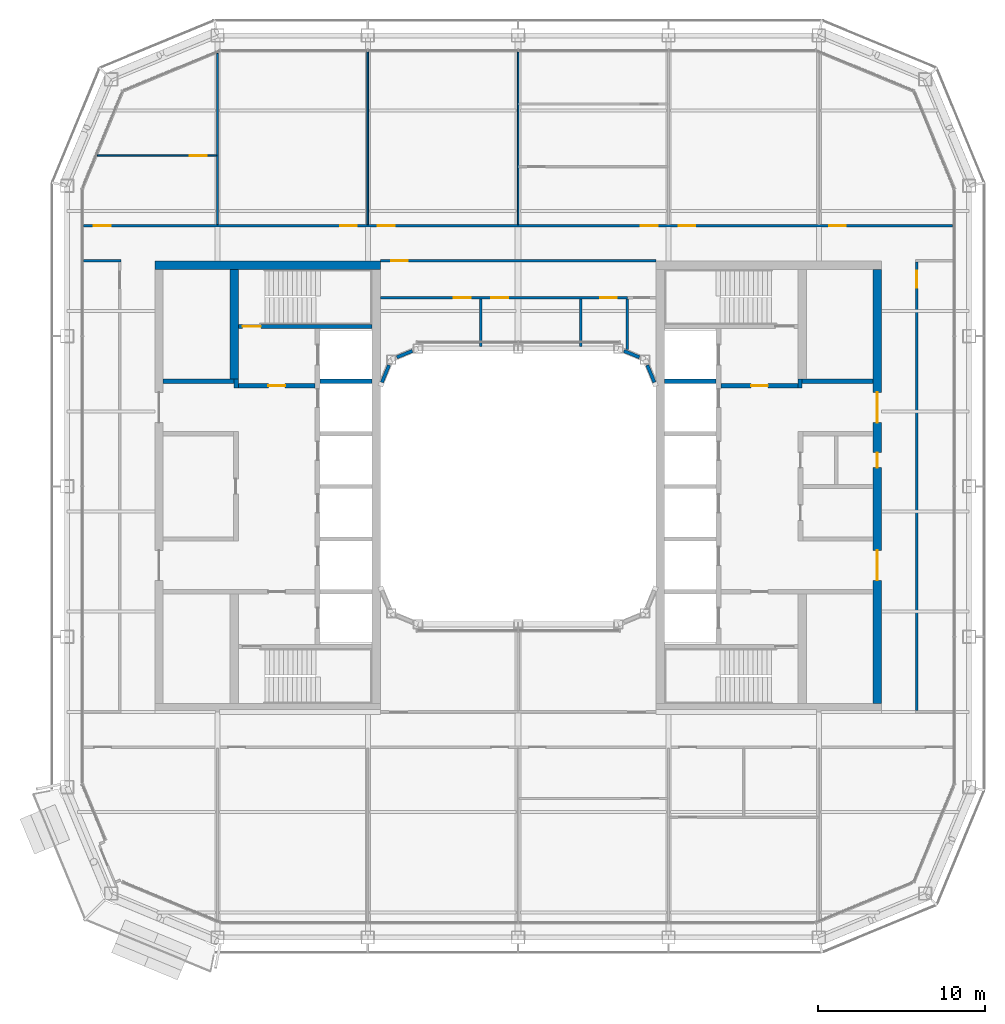
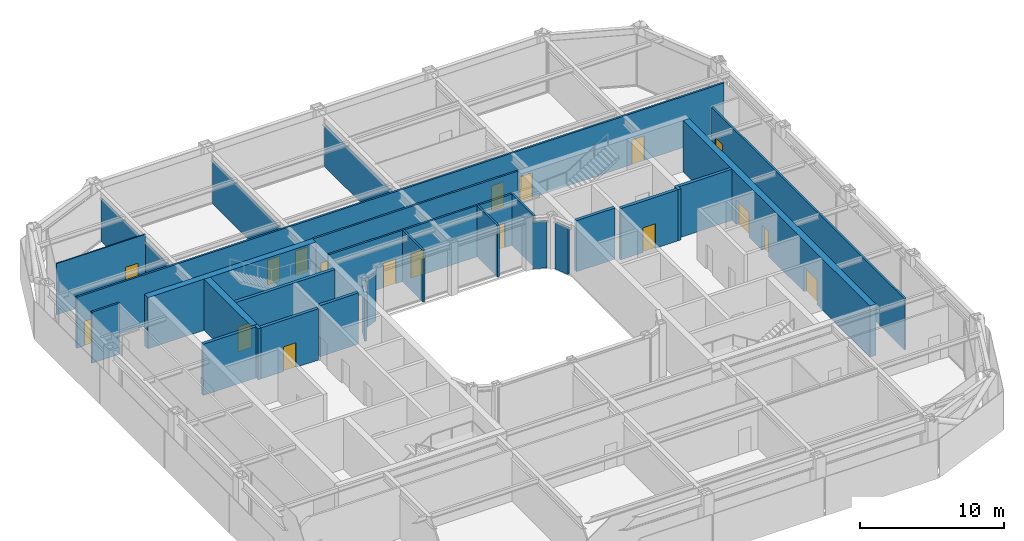
# One storey, part 15 of 23: 28 walls, 18 doors, 18 openings.
"""IFC4 building model written with IfcOpenShell, lengths in metres."""

from ifc_helpers import new_model, si_unit, direction, frame, frame_2d, origin, place, context, subcontext, project, spatial, rectangle, extrude, material, layer, layer_set, type_object, element, fill, save


model = new_model("IFC4")

# Units and contexts
model_context = context("Model", 3, precision=1e-05, world=origin(), true_north=direction((0.0, 1.0)))
body_context = subcontext(model_context, "Body", "Model", "MODEL_VIEW")
ifc_project = project(units=[si_unit("LENGTHUNIT", "METRE"), si_unit("AREAUNIT", "SQUARE_METRE"), si_unit("VOLUMEUNIT", "CUBIC_METRE"), si_unit("PLANEANGLEUNIT", "RADIAN"), si_unit("MASSUNIT", "GRAM", prefix="KILO")], contexts=[model_context])

# Site, building, storey
site_placement = place(None, origin())
site = spatial("IfcSite", under=ifc_project, at=site_placement, CompositionType="ELEMENT")
building_placement = place(site_placement, origin())
building = spatial("IfcBuilding", under=site, at=building_placement, Name="Siwar Civic Tower", CompositionType="ELEMENT")
storey_placement = place(building_placement, frame((0.0, 0.0, 269.199951171875)))
storey = spatial("IfcBuildingStorey", under=building, at=storey_placement, Name="L58", CompositionType="ELEMENT", Elevation=269.199951171875)

# Wall
ifc_material_1 = material(Name="Gypsum board on steel studs", Category="steel")
ifc_layer_1 = layer(ifc_material_1, 0.14990234375)
ifc_layer_set_1 = layer_set([ifc_layer_1], Name="Gypsum board on steel studs")
wall_type_1 = type_object("IfcWallType", Name="COMPARTMENT PARTITION 150 EI 60", PredefinedType="PARTITIONING", material=ifc_layer_set_1)
wall_1_placement = place(storey_placement, frame((6.5400390625, 8.18603515625, 0.0), z_axis=(0.0, 0.0, 1.0), x_axis=(0.0, 1.0, 0.0)))
element("IfcWall", 1, at=wall_1_placement, inside=storey, type_object=wall_type_1, Name="L58/wall/P27", PredefinedType="PARTITIONING", context=body_context, shape_type="SweptSolid", body=[
    extrude(rectangle(XDim=3.0390625, YDim=0.14990234375, at=frame_2d((1.51953125, 0.0))), origin(), (0.0, 0.0, 1.0), 4.35009765625),
])

# Wall, opening, door
ifc_material_2 = material(Name="Concrete C60/75", Category="concrete")
ifc_layer_2 = layer(ifc_material_2, 0.25)
ifc_layer_set_2 = layer_set([ifc_layer_2], Name="Concrete C60/75")
wall_type_2 = type_object("IfcWallType", Name="CORE-WALL-RC250", PredefinedType="SHEAR", material=ifc_layer_set_2)
wall_2_placement = place(storey_placement, frame((-12.14990234375, 6.02490234375, 0.0), z_axis=(0.0, 0.0, 1.0), x_axis=(-1.0, 0.0, 0.0)))
wall_2 = element("IfcWall", 2, at=wall_2_placement, inside=storey, type_object=wall_type_2, Name="Core wall W", PredefinedType="SHEAR", context=body_context, shape_type="SweptSolid", body=[
    extrude(rectangle(XDim=4.60009765625, YDim=0.25, at=frame_2d((2.300048828125, 0.0))), origin(), (0.0, 0.0, 1.0), 4.35009765625),
])
opening_1_placement = place(wall_2_placement, frame((1.800048828125, 0.0, 0.0)))
opening_1 = element("IfcOpeningElement", 3, at=opening_1_placement, cuts=wall_2, Name="Opening L58-CW01", PredefinedType="OPENING", context=body_context, shape_type="SweptSolid", body=[
    extrude(rectangle(XDim=1.0, YDim=2.10009765625, at=frame_2d((0.5, 1.050048828125))), frame((0.0, 0.135009765625, 0.0), z_axis=(0.0, -1.0, 0.0), x_axis=(1.0, 0.0, 0.0)), (0.0, 0.0, 1.0), 0.27001953125),
])
ifc_material_3 = material(Name="Steel door leaf", Category="steel")
door_type_1 = type_object("IfcDoorType", Name="CORE-DOOR-FD30S", OperationType="SINGLE_SWING_LEFT", PredefinedType="DOOR", material=ifc_material_3)
door_1_placement = place(opening_1_placement, origin())
door_1 = element("IfcDoor", 4, at=door_1_placement, inside=storey, type_object=door_type_1, Name="Firefighting lobby door L58-CW01", OperationType="SINGLE_SWING_LEFT", OverallHeight=2.10009765625, OverallWidth=1.0, PredefinedType="DOOR", context=body_context, shape_type="SweptSolid", body=[
    extrude(rectangle(XDim=1.0, YDim=2.10009765625, at=frame_2d((0.5, 1.050048828125))), frame((0.0, 0.02490234375, 0.0), z_axis=(0.0, -1.0, 0.0), x_axis=(1.0, 0.0, 0.0)), (0.0, 0.0, 1.0), 0.050048828125),
])
fill(opening_1, door_1)

# Walls
wall_3_placement = place(storey_placement, frame((-16.875, 5.89990234375, 0.0), z_axis=(0.0, 0.0, 1.0), x_axis=(0.0, 1.0, 0.0)))
element("IfcWall", 5, at=wall_3_placement, inside=storey, type_object=wall_type_2, Name="Core wall W", PredefinedType="SHEAR", context=body_context, shape_type="SweptSolid", body=[
    extrude(rectangle(XDim=0.525146484375, YDim=0.25, at=frame_2d((0.2626953125, 0.0))), origin(), (0.0, 0.0, 1.0), 4.35009765625),
])
wall_4_placement = place(storey_placement, frame((-17.0, 6.300048828125, 0.0), z_axis=(0.0, 0.0, 1.0), x_axis=(-1.0, 0.0, 0.0)))
element("IfcWall", 6, at=wall_4_placement, inside=storey, type_object=wall_type_2, Name="Core wall W", PredefinedType="SHEAR", context=body_context, shape_type="SweptSolid", body=[
    extrude(rectangle(XDim=4.25, YDim=0.25, at=frame_2d((2.125, 0.0))), origin(), (0.0, 0.0, 1.0), 4.35009765625),
])
wall_5_placement = place(storey_placement, frame((-8.75, 6.300048828125, 0.0), z_axis=(0.0, 0.0, 1.0), x_axis=(-1.0, 0.0, 0.0)))
element("IfcWall", 7, at=wall_5_placement, inside=storey, type_object=wall_type_2, Name="Core wall W", PredefinedType="SHEAR", context=body_context, shape_type="SweptSolid", body=[
    extrude(rectangle(XDim=3.10009765625, YDim=0.25, at=frame_2d((1.550048828125, 0.0))), origin(), (0.0, 0.0, 1.0), 4.35009765625),
])

# Wall, opening, door
wall_6_placement = place(storey_placement, frame((-8.75, 9.574951171875, 0.0), z_axis=(0.0, 0.0, 1.0), x_axis=(-1.0, 0.0, 0.0)))
wall_6 = element("IfcWall", 8, at=wall_6_placement, inside=storey, type_object=wall_type_2, Name="Core wall W", PredefinedType="SHEAR", context=body_context, shape_type="SweptSolid", body=[
    extrude(rectangle(XDim=8.0, YDim=0.25, at=frame_2d((4.0, 0.0))), origin(), (0.0, 0.0, 1.0), 4.35009765625),
])
opening_2_placement = place(wall_6_placement, frame((6.64990234375, 0.0, 0.0)))
opening_2 = element("IfcOpeningElement", 9, at=opening_2_placement, cuts=wall_6, Name="Opening L58-CW03", PredefinedType="OPENING", context=body_context, shape_type="SweptSolid", body=[
    extrude(rectangle(XDim=1.10009765625, YDim=2.10009765625, at=frame_2d((0.550048828125, 1.050048828125))), frame((0.0, 0.135009765625, 0.0), z_axis=(0.0, -1.0, 0.0), x_axis=(1.0, 0.0, 0.0)), (0.0, 0.0, 1.0), 0.27001953125),
])
ifc_material_4 = material(Name="Steel door leaf", Category="steel")
door_type_2 = type_object("IfcDoorType", Name="CORE-DOOR-FD60S", OperationType="SINGLE_SWING_LEFT", PredefinedType="DOOR", material=ifc_material_4)
door_2_placement = place(opening_2_placement, origin())
door_2 = element("IfcDoor", 10, at=door_2_placement, inside=storey, type_object=door_type_2, Name="Stair door L58-CW03", OperationType="SINGLE_SWING_RIGHT", OverallHeight=2.10009765625, OverallWidth=1.10009765625, PredefinedType="DOOR", context=body_context, shape_type="SweptSolid", body=[
    extrude(rectangle(XDim=1.10009765625, YDim=2.10009765625, at=frame_2d((0.550048828125, 1.050048828125))), frame((0.0, 0.02490234375, 0.0), z_axis=(0.0, -1.0, 0.0), x_axis=(1.0, 0.0, 0.0)), (0.0, 0.0, 1.0), 0.050048828125),
])
fill(opening_2, door_2)

wall_7_placement = place(storey_placement, frame((12.14990234375, 6.02490234375, 0.0), z_axis=(0.0, 0.0, 1.0), x_axis=(1.0, 0.0, 0.0)))
wall_7 = element("IfcWall", 11, at=wall_7_placement, inside=storey, type_object=wall_type_2, Name="Core wall E", PredefinedType="SHEAR", context=body_context, shape_type="SweptSolid", body=[
    extrude(rectangle(XDim=4.60009765625, YDim=0.25, at=frame_2d((2.300048828125, 0.0))), origin(), (0.0, 0.0, 1.0), 4.35009765625),
])
opening_3_placement = place(wall_7_placement, frame((1.800048828125, 0.0, 0.0)))
opening_3 = element("IfcOpeningElement", 12, at=opening_3_placement, cuts=wall_7, Name="Opening L58-CE01", PredefinedType="OPENING", context=body_context, shape_type="SweptSolid", body=[
    extrude(rectangle(XDim=1.0, YDim=2.10009765625, at=frame_2d((0.5, 1.050048828125))), frame((0.0, 0.135009765625, 0.0), z_axis=(0.0, -1.0, 0.0), x_axis=(1.0, 0.0, 0.0)), (0.0, 0.0, 1.0), 0.27001953125),
])
door_3_placement = place(opening_3_placement, origin())
door_3 = element("IfcDoor", 13, at=door_3_placement, inside=storey, type_object=door_type_1, Name="Firefighting lobby door L58-CE01", OperationType="SINGLE_SWING_RIGHT", OverallHeight=2.10009765625, OverallWidth=1.0, PredefinedType="DOOR", context=body_context, shape_type="SweptSolid", body=[
    extrude(rectangle(XDim=1.0, YDim=2.10009765625, at=frame_2d((0.5, 1.050048828125))), frame((0.0, 0.02490234375, 0.0), z_axis=(0.0, -1.0, 0.0), x_axis=(1.0, 0.0, 0.0)), (0.0, 0.0, 1.0), 0.050048828125),
])
fill(opening_3, door_3)

# Walls
wall_8_placement = place(storey_placement, frame((16.875, 5.89990234375, 0.0), z_axis=(0.0, 0.0, 1.0), x_axis=(0.0, 1.0, 0.0)))
element("IfcWall", 14, at=wall_8_placement, inside=storey, type_object=wall_type_2, Name="Core wall E", PredefinedType="SHEAR", context=body_context, shape_type="SweptSolid", body=[
    extrude(rectangle(XDim=0.525146484375, YDim=0.25, at=frame_2d((0.2626953125, 0.0))), origin(), (0.0, 0.0, 1.0), 4.35009765625),
])
wall_9_placement = place(storey_placement, frame((17.0, 6.300048828125, 0.0), z_axis=(0.0, 0.0, 1.0), x_axis=(1.0, 0.0, 0.0)))
element("IfcWall", 15, at=wall_9_placement, inside=storey, type_object=wall_type_2, Name="Core wall E", PredefinedType="SHEAR", context=body_context, shape_type="SweptSolid", body=[
    extrude(rectangle(XDim=4.25, YDim=0.25, at=frame_2d((2.125, 0.0))), origin(), (0.0, 0.0, 1.0), 4.35009765625),
])
wall_10_placement = place(storey_placement, frame((8.75, 6.300048828125, 0.0), z_axis=(0.0, 0.0, 1.0), x_axis=(1.0, 0.0, 0.0)))
element("IfcWall", 16, at=wall_10_placement, inside=storey, type_object=wall_type_2, Name="Core wall E", PredefinedType="SHEAR", context=body_context, shape_type="SweptSolid", body=[
    extrude(rectangle(XDim=3.10009765625, YDim=0.25, at=frame_2d((1.550048828125, 0.0))), origin(), (0.0, 0.0, 1.0), 4.35009765625),
])
ifc_material_5 = material(Name="Concrete C60/75", Category="concrete")
ifc_layer_3 = layer(ifc_material_5, 0.5)
ifc_layer_set_3 = layer_set([ifc_layer_3], Name="Concrete C60/75")
wall_type_3 = type_object("IfcWallType", Name="CORE-WALL-RC500", PredefinedType="SHEAR", material=ifc_layer_set_3)
wall_11_placement = place(storey_placement, frame((-17.0, 6.425048828125, 0.0), z_axis=(0.0, 0.0, 1.0), x_axis=(0.0, 1.0, 0.0)))
element("IfcWall", 17, at=wall_11_placement, inside=storey, type_object=wall_type_3, Name="Core wall W", PredefinedType="SHEAR", context=body_context, shape_type="SweptSolid", body=[
    extrude(rectangle(XDim=6.574951171875, YDim=0.5, at=frame_2d((3.28759765625, 0.0))), origin(), (0.0, 0.0, 1.0), 4.35009765625),
])
wall_12_placement = place(storey_placement, frame((-8.25, 13.25, 0.0), z_axis=(0.0, 0.0, 1.0), x_axis=(-1.0, 0.0, 0.0)))
element("IfcWall", 18, at=wall_12_placement, inside=storey, type_object=wall_type_3, Name="Core wall W", PredefinedType="SHEAR", context=body_context, shape_type="SweptSolid", body=[
    extrude(rectangle(XDim=13.5, YDim=0.5, at=frame_2d((6.75, 0.0))), origin(), (0.0, 0.0, 1.0), 4.35009765625),
])

# Wall, openings, doors
wall_13_placement = place(storey_placement, frame((21.5, -13.0, 0.0), z_axis=(0.0, 0.0, 1.0), x_axis=(0.0, 1.0, 0.0)))
wall_13 = element("IfcWall", 19, at=wall_13_placement, inside=storey, type_object=wall_type_3, Name="Core wall E", PredefinedType="SHEAR", context=body_context, shape_type="SweptSolid", body=[
    extrude(rectangle(XDim=26.0, YDim=0.5, at=frame_2d((13.0, 0.0))), origin(), (0.0, 0.0, 1.0), 4.35009765625),
])
opening_4_placement = place(wall_13_placement, frame((16.824951171875, 0.0, 0.0)))
opening_4 = element("IfcOpeningElement", 20, at=opening_4_placement, cuts=wall_13, Name="Opening L58-CE05", PredefinedType="OPENING", context=body_context, shape_type="SweptSolid", body=[
    extrude(rectangle(XDim=1.800048828125, YDim=2.10009765625, at=frame_2d((0.89990234375, 1.050048828125))), frame((0.0, 0.260009765625, 0.0), z_axis=(0.0, -1.0, 0.0), x_axis=(1.0, 0.0, 0.0)), (0.0, 0.0, 1.0), 0.52001953125),
])
opening_5_placement = place(wall_13_placement, frame((7.375, 0.0, 0.0)))
opening_5 = element("IfcOpeningElement", 21, at=opening_5_placement, cuts=wall_13, Name="Opening L58-CE06", PredefinedType="OPENING", context=body_context, shape_type="SweptSolid", body=[
    extrude(rectangle(XDim=1.800048828125, YDim=2.10009765625, at=frame_2d((0.89990234375, 1.050048828125))), frame((0.0, 0.260009765625, 0.0), z_axis=(0.0, -1.0, 0.0), x_axis=(1.0, 0.0, 0.0)), (0.0, 0.0, 1.0), 0.52001953125),
])
opening_6_placement = place(wall_13_placement, frame((14.125, 0.0, 0.0)))
opening_6 = element("IfcOpeningElement", 22, at=opening_6_placement, cuts=wall_13, Name="Opening L58-CE15", PredefinedType="OPENING", context=body_context, shape_type="SweptSolid", body=[
    extrude(rectangle(XDim=0.89990234375, YDim=2.10009765625, at=frame_2d((0.449951171875, 1.050048828125))), frame((0.0, 0.260009765625, 0.0), z_axis=(0.0, -1.0, 0.0), x_axis=(1.0, 0.0, 0.0)), (0.0, 0.0, 1.0), 0.52001953125),
])
ifc_material_6 = material(Name="Steel door leaf", Category="steel")
door_type_3 = type_object("IfcDoorType", Name="CORE-DOOR-PORT", OperationType="DOUBLE_DOOR_DOUBLE_SWING", PredefinedType="DOOR", material=ifc_material_6)
door_4_placement = place(opening_4_placement, origin())
door_4 = element("IfcDoor", 23, at=door_4_placement, inside=storey, type_object=door_type_3, Name="Core entrance door L58-CE05", OperationType="DOUBLE_DOOR_DOUBLE_SWING", OverallHeight=2.10009765625, OverallWidth=1.800048828125, PredefinedType="DOOR", context=body_context, shape_type="SweptSolid", body=[
    extrude(rectangle(XDim=1.800048828125, YDim=2.10009765625, at=frame_2d((0.89990234375, 1.050048828125))), frame((0.0, 0.02490234375, 0.0), z_axis=(0.0, -1.0, 0.0), x_axis=(1.0, 0.0, 0.0)), (0.0, 0.0, 1.0), 0.050048828125),
])
fill(opening_4, door_4)
door_5_placement = place(opening_5_placement, origin())
door_5 = element("IfcDoor", 24, at=door_5_placement, inside=storey, type_object=door_type_3, Name="Core entrance door L58-CE06", OperationType="DOUBLE_DOOR_DOUBLE_SWING", OverallHeight=2.10009765625, OverallWidth=1.800048828125, PredefinedType="DOOR", context=body_context, shape_type="SweptSolid", body=[
    extrude(rectangle(XDim=1.800048828125, YDim=2.10009765625, at=frame_2d((0.89990234375, 1.050048828125))), frame((0.0, 0.02490234375, 0.0), z_axis=(0.0, -1.0, 0.0), x_axis=(1.0, 0.0, 0.0)), (0.0, 0.0, 1.0), 0.050048828125),
])
fill(opening_5, door_5)
ifc_material_7 = material(Name="Steel door leaf", Category="steel")
door_type_4 = type_object("IfcDoorType", Name="CORE-DOOR-ROOM", OperationType="SINGLE_SWING_LEFT", PredefinedType="DOOR", material=ifc_material_7)
door_6_placement = place(opening_6_placement, origin())
door_6 = element("IfcDoor", 25, at=door_6_placement, inside=storey, type_object=door_type_4, Name="Core room door L58-CE15", OperationType="SINGLE_SWING_RIGHT", OverallHeight=2.10009765625, OverallWidth=0.89990234375, PredefinedType="DOOR", context=body_context, shape_type="SweptSolid", body=[
    extrude(rectangle(XDim=0.89990234375, YDim=2.10009765625, at=frame_2d((0.449951171875, 1.050048828125))), frame((0.0, 0.02490234375, 0.0), z_axis=(0.0, -1.0, 0.0), x_axis=(1.0, 0.0, 0.0)), (0.0, 0.0, 1.0), 0.050048828125),
])
fill(opening_6, door_6)

ifc_material_8 = material(Name="Gypsum board on steel studs", Category="steel")
ifc_layer_4 = layer(ifc_material_8, 0.14990234375)
ifc_layer_set_4 = layer_set([ifc_layer_4], Name="Gypsum board on steel studs")
wall_type_4 = type_object("IfcWallType", Name="CORRIDOR PARTITION 150 EI 30", PredefinedType="PARTITIONING", material=ifc_layer_set_4)
wall_14_placement = place(storey_placement, frame((-8.25, 11.300048828125, 0.0), z_axis=(0.0, 0.0, 1.0), x_axis=(1.0, 0.0, 0.0)))
wall_14 = element("IfcWall", 26, at=wall_14_placement, inside=storey, type_object=wall_type_4, Name="L58/wall/P08", PredefinedType="PARTITIONING", context=body_context, shape_type="SweptSolid", body=[
    extrude(rectangle(XDim=14.7900390625, YDim=0.14990234375, at=frame_2d((7.39501953125, 0.0))), origin(), (0.0, 0.0, 1.0), 4.35009765625),
])
opening_7_placement = place(wall_14_placement, frame((4.39990234375, 0.0, 0.0)))
opening_7 = element("IfcOpeningElement", 27, at=opening_7_placement, cuts=wall_14, Name="Opening D3", PredefinedType="OPENING", context=body_context, shape_type="SweptSolid", body=[
    extrude(rectangle(XDim=1.0, YDim=2.10009765625, at=frame_2d((0.5, 1.050048828125))), frame((0.0, 0.0849609375, 0.0), z_axis=(0.0, -1.0, 0.0), x_axis=(1.0, 0.0, 0.0)), (0.0, 0.0, 1.0), 0.169921875),
])
opening_8_placement = place(wall_14_placement, frame((6.64990234375, 0.0, 0.0)))
opening_8 = element("IfcOpeningElement", 28, at=opening_8_placement, cuts=wall_14, Name="Opening D3", PredefinedType="OPENING", context=body_context, shape_type="SweptSolid", body=[
    extrude(rectangle(XDim=1.0, YDim=2.10009765625, at=frame_2d((0.5, 1.050048828125))), frame((0.0, 0.0849609375, 0.0), z_axis=(0.0, -1.0, 0.0), x_axis=(1.0, 0.0, 0.0)), (0.0, 0.0, 1.0), 0.169921875),
])
opening_9_placement = place(wall_14_placement, frame((13.14990234375, 0.0, 0.0)))
opening_9 = element("IfcOpeningElement", 29, at=opening_9_placement, cuts=wall_14, Name="Opening D3", PredefinedType="OPENING", context=body_context, shape_type="SweptSolid", body=[
    extrude(rectangle(XDim=1.0, YDim=2.10009765625, at=frame_2d((0.5, 1.050048828125))), frame((0.0, 0.0849609375, 0.0), z_axis=(0.0, -1.0, 0.0), x_axis=(1.0, 0.0, 0.0)), (0.0, 0.0, 1.0), 0.169921875),
])
ifc_material_9 = material(Name="Timber, painted", Category="wood")
door_type_5 = type_object("IfcDoorType", Name="DOOR 1000 X 2100 WC", OperationType="SINGLE_SWING_LEFT", PredefinedType="DOOR", material=ifc_material_9)
door_7_placement = place(opening_7_placement, origin())
door_7 = element("IfcDoor", 30, at=door_7_placement, inside=storey, type_object=door_type_5, Name="L58-D22", OperationType="SINGLE_SWING_RIGHT", OverallHeight=2.10009765625, OverallWidth=1.0, PredefinedType="DOOR", context=body_context, shape_type="SweptSolid", body=[
    extrude(rectangle(XDim=1.0, YDim=2.10009765625, at=frame_2d((0.5, 1.050048828125))), frame((0.0, 0.02490234375, 0.0), z_axis=(0.0, -1.0, 0.0), x_axis=(1.0, 0.0, 0.0)), (0.0, 0.0, 1.0), 0.050048828125),
])
fill(opening_7, door_7)
door_8_placement = place(opening_8_placement, origin())
door_8 = element("IfcDoor", 31, at=door_8_placement, inside=storey, type_object=door_type_5, Name="L58-D23", OperationType="SINGLE_SWING_LEFT", OverallHeight=2.10009765625, OverallWidth=1.0, PredefinedType="DOOR", context=body_context, shape_type="SweptSolid", body=[
    extrude(rectangle(XDim=1.0, YDim=2.10009765625, at=frame_2d((0.5, 1.050048828125))), frame((0.0, 0.02490234375, 0.0), z_axis=(0.0, -1.0, 0.0), x_axis=(1.0, 0.0, 0.0)), (0.0, 0.0, 1.0), 0.050048828125),
])
fill(opening_8, door_8)
door_9_placement = place(opening_9_placement, origin())
door_9 = element("IfcDoor", 32, at=door_9_placement, inside=storey, type_object=door_type_5, Name="L58-D24", OperationType="SINGLE_SWING_RIGHT", OverallHeight=2.10009765625, OverallWidth=1.0, PredefinedType="DOOR", context=body_context, shape_type="SweptSolid", body=[
    extrude(rectangle(XDim=1.0, YDim=2.10009765625, at=frame_2d((0.5, 1.050048828125))), frame((0.0, 0.02490234375, 0.0), z_axis=(0.0, -1.0, 0.0), x_axis=(1.0, 0.0, 0.0)), (0.0, 0.0, 1.0), 0.050048828125),
])
fill(opening_9, door_9)

# Wall
wall_15_placement = place(storey_placement, frame((-26.010009765625, 13.5, 0.0), z_axis=(0.0, 0.0, 1.0), x_axis=(1.0, 0.0, 0.0)))
element("IfcWall", 33, at=wall_15_placement, inside=storey, type_object=wall_type_4, Name="L58/wall/P10", PredefinedType="PARTITIONING", context=body_context, shape_type="SweptSolid", body=[
    extrude(rectangle(XDim=2.235107421875, YDim=0.14990234375, at=frame_2d((1.11767578125, 0.0))), origin(), (0.0, 0.0, 1.0), 4.35009765625),
])

# Wall, opening, door
wall_16_placement = place(storey_placement, frame((-8.25, 13.5, 0.0), z_axis=(0.0, 0.0, 1.0), x_axis=(1.0, 0.0, 0.0)))
wall_16 = element("IfcWall", 34, at=wall_16_placement, inside=storey, type_object=wall_type_4, Name="L58/wall/P11", PredefinedType="PARTITIONING", context=body_context, shape_type="SweptSolid", body=[
    extrude(rectangle(XDim=16.5, YDim=0.14990234375, at=frame_2d((8.25, 0.0))), origin(), (0.0, 0.0, 1.0), 4.35009765625),
])
opening_10_placement = place(wall_16_placement, frame((0.64990234375, 0.0, 0.0)))
opening_10 = element("IfcOpeningElement", 35, at=opening_10_placement, cuts=wall_16, Name="Opening D1", PredefinedType="OPENING", context=body_context, shape_type="SweptSolid", body=[
    extrude(rectangle(XDim=1.0, YDim=2.10009765625, at=frame_2d((0.5, 1.050048828125))), frame((0.0, 0.0849609375, 0.0), z_axis=(0.0, -1.0, 0.0), x_axis=(1.0, 0.0, 0.0)), (0.0, 0.0, 1.0), 0.169921875),
])
ifc_material_10 = material(Name="Timber, painted", Category="wood")
door_type_6 = type_object("IfcDoorType", Name="DOOR 1000 X 2100 FD30", OperationType="SINGLE_SWING_LEFT", PredefinedType="DOOR", material=ifc_material_10)
door_10_placement = place(opening_10_placement, origin())
door_10 = element("IfcDoor", 36, at=door_10_placement, inside=storey, type_object=door_type_6, Name="L58-D21", OperationType="SINGLE_SWING_LEFT", OverallHeight=2.10009765625, OverallWidth=1.0, PredefinedType="DOOR", context=body_context, shape_type="SweptSolid", body=[
    extrude(rectangle(XDim=1.0, YDim=2.10009765625, at=frame_2d((0.5, 1.050048828125))), frame((0.0, 0.02490234375, 0.0), z_axis=(0.0, -1.0, 0.0), x_axis=(1.0, 0.0, 0.0)), (0.0, 0.0, 1.0), 0.050048828125),
])
fill(opening_10, door_10)

# Wall, openings, doors
wall_17_placement = place(storey_placement, frame((-26.010009765625, 15.60009765625, 0.0), z_axis=(0.0, 0.0, 1.0), x_axis=(1.0, 0.0, 0.0)))
wall_17 = element("IfcWall", 37, at=wall_17_placement, inside=storey, type_object=wall_type_4, Name="L58/wall/P13", PredefinedType="PARTITIONING", context=body_context, shape_type="SweptSolid", body=[
    extrude(rectangle(XDim=52.02001953125, YDim=0.14990234375, at=frame_2d((26.010009765625, 0.0))), origin(), (0.0, 0.0, 1.0), 4.35009765625),
])
opening_11_placement = place(wall_17_placement, frame((15.360107421875, 0.0, 0.0)))
opening_11 = element("IfcOpeningElement", 38, at=opening_11_placement, cuts=wall_17, Name="Opening D1", PredefinedType="OPENING", context=body_context, shape_type="SweptSolid", body=[
    extrude(rectangle(XDim=1.0, YDim=2.10009765625, at=frame_2d((0.5, 1.050048828125))), frame((0.0, 0.0849609375, 0.0), z_axis=(0.0, -1.0, 0.0), x_axis=(1.0, 0.0, 0.0)), (0.0, 0.0, 1.0), 0.169921875),
])
opening_12_placement = place(wall_17_placement, frame((17.610107421875, 0.0, 0.0)))
opening_12 = element("IfcOpeningElement", 39, at=opening_12_placement, cuts=wall_17, Name="Opening D1", PredefinedType="OPENING", context=body_context, shape_type="SweptSolid", body=[
    extrude(rectangle(XDim=1.0, YDim=2.10009765625, at=frame_2d((0.5, 1.050048828125))), frame((0.0, 0.0849609375, 0.0), z_axis=(0.0, -1.0, 0.0), x_axis=(1.0, 0.0, 0.0)), (0.0, 0.0, 1.0), 0.169921875),
])
opening_13_placement = place(wall_17_placement, frame((33.360107421875, 0.0, 0.0)))
opening_13 = element("IfcOpeningElement", 40, at=opening_13_placement, cuts=wall_17, Name="Opening D1", PredefinedType="OPENING", context=body_context, shape_type="SweptSolid", body=[
    extrude(rectangle(XDim=1.0, YDim=2.10009765625, at=frame_2d((0.5, 1.050048828125))), frame((0.0, 0.0849609375, 0.0), z_axis=(0.0, -1.0, 0.0), x_axis=(1.0, 0.0, 0.0)), (0.0, 0.0, 1.0), 0.169921875),
])
opening_14_placement = place(wall_17_placement, frame((35.610107421875, 0.0, 0.0)))
opening_14 = element("IfcOpeningElement", 41, at=opening_14_placement, cuts=wall_17, Name="Opening D1", PredefinedType="OPENING", context=body_context, shape_type="SweptSolid", body=[
    extrude(rectangle(XDim=1.0, YDim=2.10009765625, at=frame_2d((0.5, 1.050048828125))), frame((0.0, 0.0849609375, 0.0), z_axis=(0.0, -1.0, 0.0), x_axis=(1.0, 0.0, 0.0)), (0.0, 0.0, 1.0), 0.169921875),
])
opening_15_placement = place(wall_17_placement, frame((0.610107421875, 0.0, 0.0)))
opening_15 = element("IfcOpeningElement", 42, at=opening_15_placement, cuts=wall_17, Name="Opening D1", PredefinedType="OPENING", context=body_context, shape_type="SweptSolid", body=[
    extrude(rectangle(XDim=1.0, YDim=2.10009765625, at=frame_2d((0.5, 1.050048828125))), frame((0.0, 0.0849609375, 0.0), z_axis=(0.0, -1.0, 0.0), x_axis=(1.0, 0.0, 0.0)), (0.0, 0.0, 1.0), 0.169921875),
])
opening_16_placement = place(wall_17_placement, frame((44.6201171875, 0.0, 0.0)))
opening_16 = element("IfcOpeningElement", 43, at=opening_16_placement, cuts=wall_17, Name="Opening D1", PredefinedType="OPENING", context=body_context, shape_type="SweptSolid", body=[
    extrude(rectangle(XDim=1.0, YDim=2.10009765625, at=frame_2d((0.5, 1.050048828125))), frame((0.0, 0.0849609375, 0.0), z_axis=(0.0, -1.0, 0.0), x_axis=(1.0, 0.0, 0.0)), (0.0, 0.0, 1.0), 0.169921875),
])
door_11_placement = place(opening_11_placement, origin())
door_11 = element("IfcDoor", 44, at=door_11_placement, inside=storey, type_object=door_type_6, Name="L58-D01", OperationType="SINGLE_SWING_LEFT", OverallHeight=2.10009765625, OverallWidth=1.0, PredefinedType="DOOR", context=body_context, shape_type="SweptSolid", body=[
    extrude(rectangle(XDim=1.0, YDim=2.10009765625, at=frame_2d((0.5, 1.050048828125))), frame((0.0, 0.02490234375, 0.0), z_axis=(0.0, -1.0, 0.0), x_axis=(1.0, 0.0, 0.0)), (0.0, 0.0, 1.0), 0.050048828125),
])
fill(opening_11, door_11)
door_12_placement = place(opening_12_placement, origin())
door_12 = element("IfcDoor", 45, at=door_12_placement, inside=storey, type_object=door_type_6, Name="L58-D02", OperationType="SINGLE_SWING_RIGHT", OverallHeight=2.10009765625, OverallWidth=1.0, PredefinedType="DOOR", context=body_context, shape_type="SweptSolid", body=[
    extrude(rectangle(XDim=1.0, YDim=2.10009765625, at=frame_2d((0.5, 1.050048828125))), frame((0.0, 0.02490234375, 0.0), z_axis=(0.0, -1.0, 0.0), x_axis=(1.0, 0.0, 0.0)), (0.0, 0.0, 1.0), 0.050048828125),
])
fill(opening_12, door_12)
door_13_placement = place(opening_13_placement, origin())
door_13 = element("IfcDoor", 46, at=door_13_placement, inside=storey, type_object=door_type_6, Name="L58-D03", OperationType="SINGLE_SWING_LEFT", OverallHeight=2.10009765625, OverallWidth=1.0, PredefinedType="DOOR", context=body_context, shape_type="SweptSolid", body=[
    extrude(rectangle(XDim=1.0, YDim=2.10009765625, at=frame_2d((0.5, 1.050048828125))), frame((0.0, 0.02490234375, 0.0), z_axis=(0.0, -1.0, 0.0), x_axis=(1.0, 0.0, 0.0)), (0.0, 0.0, 1.0), 0.050048828125),
])
fill(opening_13, door_13)
door_14_placement = place(opening_14_placement, origin())
door_14 = element("IfcDoor", 47, at=door_14_placement, inside=storey, type_object=door_type_6, Name="L58-D06", OperationType="SINGLE_SWING_RIGHT", OverallHeight=2.10009765625, OverallWidth=1.0, PredefinedType="DOOR", context=body_context, shape_type="SweptSolid", body=[
    extrude(rectangle(XDim=1.0, YDim=2.10009765625, at=frame_2d((0.5, 1.050048828125))), frame((0.0, 0.02490234375, 0.0), z_axis=(0.0, -1.0, 0.0), x_axis=(1.0, 0.0, 0.0)), (0.0, 0.0, 1.0), 0.050048828125),
])
fill(opening_14, door_14)
door_15_placement = place(opening_15_placement, origin())
door_15 = element("IfcDoor", 48, at=door_15_placement, inside=storey, type_object=door_type_6, Name="L58-D14", OperationType="SINGLE_SWING_RIGHT", OverallHeight=2.10009765625, OverallWidth=1.0, PredefinedType="DOOR", context=body_context, shape_type="SweptSolid", body=[
    extrude(rectangle(XDim=1.0, YDim=2.10009765625, at=frame_2d((0.5, 1.050048828125))), frame((0.0, 0.02490234375, 0.0), z_axis=(0.0, -1.0, 0.0), x_axis=(1.0, 0.0, 0.0)), (0.0, 0.0, 1.0), 0.050048828125),
])
fill(opening_15, door_15)
door_16_placement = place(opening_16_placement, origin())
door_16 = element("IfcDoor", 49, at=door_16_placement, inside=storey, type_object=door_type_6, Name="L58-D16", OperationType="SINGLE_SWING_RIGHT", OverallHeight=2.10009765625, OverallWidth=1.0, PredefinedType="DOOR", context=body_context, shape_type="SweptSolid", body=[
    extrude(rectangle(XDim=1.0, YDim=2.10009765625, at=frame_2d((0.5, 1.050048828125))), frame((0.0, 0.02490234375, 0.0), z_axis=(0.0, -1.0, 0.0), x_axis=(1.0, 0.0, 0.0)), (0.0, 0.0, 1.0), 0.050048828125),
])
fill(opening_16, door_16)

# Walls
for number, where, z_axis, x_axis, name in (
    (50, (-2.25, 8.3701171875, 0.0), (0.0, 0.0, 1.0), (0.0, 1.0, 0.0), "L58/wall/P22"),
    (51, (3.75, 8.3701171875, 0.0), (0.0, 0.0, 1.0), (0.0, 1.0, 0.0), "L58/wall/P26"),
):
    element("IfcWall", number, at=place(storey_placement, frame(where, z_axis=z_axis, x_axis=x_axis)), inside=storey, type_object=wall_type_4, Name=name, PredefinedType="PARTITIONING", context=body_context, shape_type="SweptSolid", body=[
        extrude(rectangle(XDim=2.85498046875, YDim=0.14990234375, at=frame_2d((1.427490234375, 0.0))), origin(), (0.0, 0.0, 1.0), 4.35009765625),
    ])

# Wall, opening, door
wall_18_placement = place(storey_placement, frame((23.85009765625, -13.425048828125, 0.0), z_axis=(0.0, 0.0, 1.0), x_axis=(0.0, 1.0, 0.0)))
wall_18 = element("IfcWall", 52, at=wall_18_placement, inside=storey, type_object=wall_type_4, Name="L58/wall/P33", PredefinedType="PARTITIONING", context=body_context, shape_type="SweptSolid", body=[
    extrude(rectangle(XDim=26.85009765625, YDim=0.14990234375, at=frame_2d((13.425048828125, 0.0))), origin(), (0.0, 0.0, 1.0), 4.35009765625),
])
opening_17_placement = place(wall_18_placement, frame((25.324951171875, 0.0, 0.0)))
opening_17 = element("IfcOpeningElement", 53, at=opening_17_placement, cuts=wall_18, Name="Opening D1", PredefinedType="OPENING", context=body_context, shape_type="SweptSolid", body=[
    extrude(rectangle(XDim=1.0, YDim=2.10009765625, at=frame_2d((0.5, 1.050048828125))), frame((0.0, 0.0849609375, 0.0), z_axis=(0.0, -1.0, 0.0), x_axis=(1.0, 0.0, 0.0)), (0.0, 0.0, 1.0), 0.169921875),
])
door_17_placement = place(opening_17_placement, origin())
door_17 = element("IfcDoor", 54, at=door_17_placement, inside=storey, type_object=door_type_6, Name="L58-D20", OperationType="SINGLE_SWING_RIGHT", OverallHeight=2.10009765625, OverallWidth=1.0, PredefinedType="DOOR", context=body_context, shape_type="SweptSolid", body=[
    extrude(rectangle(XDim=1.0, YDim=2.10009765625, at=frame_2d((0.5, 1.050048828125))), frame((0.0, 0.02490234375, 0.0), z_axis=(0.0, -1.0, 0.0), x_axis=(1.0, 0.0, 0.0)), (0.0, 0.0, 1.0), 0.050048828125),
])
fill(opening_17, door_17)

# Walls
ifc_material_11 = material(Name="Aluminium clad insulated panel", Category="aluminium")
ifc_layer_5 = layer(ifc_material_11, 0.199951171875)
ifc_layer_set_5 = layer_set([ifc_layer_5], Name="Aluminium clad insulated panel")
wall_type_5 = type_object("IfcWallType", Name="ENV-WALL-WELL", PredefinedType="STANDARD", material=ifc_layer_set_5)
wall_19_placement = place(storey_placement, frame((8.154296875, 6.23095703125, 0.0), z_axis=(0.0, 0.0, 1.0), x_axis=(-0.382635994082, 0.923899180665, 0.0)))
element("IfcWall", 55, at=wall_19_placement, inside=storey, type_object=wall_type_5, Name="Light well corner wall NE1", PredefinedType="STANDARD", context=body_context, shape_type="SweptSolid", body=[
    extrude(rectangle(XDim=1.11279296875, YDim=0.199951171875, at=frame_2d((0.556396484375, 0.0))), origin(), (0.0, 0.0, 1.0), 3.91796875),
])
for number, where, z_axis, x_axis, name in (
    (56, (7.259033203125, 7.728515625, 0.0), (0.0, 0.0, 1.0), (-0.923859650767, 0.382731427616, 0.0), "Light well corner wall NE2"),
    (57, (-6.33203125, 8.112548828125, 0.0), (0.0, 0.0, 1.0), (-0.923859650767, -0.382731427616, 0.0), "Light well corner wall NW1"),
):
    element("IfcWall", number, at=place(storey_placement, frame(where, z_axis=z_axis, x_axis=x_axis)), inside=storey, type_object=wall_type_5, Name=name, PredefinedType="STANDARD", context=body_context, shape_type="SweptSolid", body=[
        extrude(rectangle(XDim=1.00341796875, YDim=0.199951171875, at=frame_2d((0.501708984375, 0.0))), origin(), (0.0, 0.0, 1.0), 3.91796875),
    ])
wall_20_placement = place(storey_placement, frame((-7.728515625, 7.259033203125, 0.0), z_axis=(0.0, 0.0, 1.0), x_axis=(-0.382635994082, -0.923899180665, 0.0)))
element("IfcWall", 58, at=wall_20_placement, inside=storey, type_object=wall_type_5, Name="Light well corner wall NW2", PredefinedType="STANDARD", context=body_context, shape_type="SweptSolid", body=[
    extrude(rectangle(XDim=1.11279296875, YDim=0.199951171875, at=frame_2d((0.556396484375, 0.0))), origin(), (0.0, 0.0, 1.0), 3.91796875),
])

# Wall, opening, door
ifc_material_12 = material(Name="Gypsum board on steel studs", Category="steel")
ifc_layer_6 = layer(ifc_material_12, 0.10009765625)
ifc_layer_set_6 = layer_set([ifc_layer_6], Name="Gypsum board on steel studs")
wall_type_6 = type_object("IfcWallType", Name="PARTITION 100 GYPSUM", PredefinedType="PARTITIONING", material=ifc_layer_set_6)
wall_21_placement = place(storey_placement, frame((-25.18310546875, 19.800048828125, 0.0), z_axis=(0.0, 0.0, 1.0), x_axis=(1.0, 0.0, 0.0)))
wall_21 = element("IfcWall", 59, at=wall_21_placement, inside=storey, type_object=wall_type_6, Name="L58/wall/P15", PredefinedType="PARTITIONING", context=body_context, shape_type="SweptSolid", body=[
    extrude(rectangle(XDim=7.133056640625, YDim=0.10009765625, at=frame_2d((3.56640625, 0.0))), origin(), (0.0, 0.0, 1.0), 4.35009765625),
])
opening_18_placement = place(wall_21_placement, frame((5.532958984375, 0.0, 0.0)))
opening_18 = element("IfcOpeningElement", 60, at=opening_18_placement, cuts=wall_21, Name="Opening D2", PredefinedType="OPENING", context=body_context, shape_type="SweptSolid", body=[
    extrude(rectangle(XDim=1.0, YDim=2.10009765625, at=frame_2d((0.5, 1.050048828125))), frame((0.0, 0.06005859375, 0.0), z_axis=(0.0, -1.0, 0.0), x_axis=(1.0, 0.0, 0.0)), (0.0, 0.0, 1.0), 0.1201171875),
])
ifc_material_13 = material(Name="Timber, painted", Category="wood")
door_type_7 = type_object("IfcDoorType", Name="DOOR 1000 X 2100", OperationType="SINGLE_SWING_LEFT", PredefinedType="DOOR", material=ifc_material_13)
door_18_placement = place(opening_18_placement, origin())
door_18 = element("IfcDoor", 61, at=door_18_placement, inside=storey, type_object=door_type_7, Name="L58-D15", OperationType="SINGLE_SWING_LEFT", OverallHeight=2.10009765625, OverallWidth=1.0, PredefinedType="DOOR", context=body_context, shape_type="SweptSolid", body=[
    extrude(rectangle(XDim=1.0, YDim=2.10009765625, at=frame_2d((0.5, 1.050048828125))), frame((0.0, 0.02490234375, 0.0), z_axis=(0.0, -1.0, 0.0), x_axis=(1.0, 0.0, 0.0)), (0.0, 0.0, 1.0), 0.050048828125),
])
fill(opening_18, door_18)

# Walls
wall_22_placement = place(storey_placement, frame((-18.0, 15.675048828125, 0.0), z_axis=(0.0, 0.0, 1.0), x_axis=(0.0, 1.0, 0.0)))
element("IfcWall", 62, at=wall_22_placement, inside=storey, type_object=wall_type_6, Name="L58/wall/P19", PredefinedType="PARTITIONING", context=body_context, shape_type="SweptSolid", body=[
    extrude(rectangle(XDim=10.2529296875, YDim=0.10009765625, at=frame_2d((5.12646484375, 0.0))), origin(), (0.0, 0.0, 1.0), 3.650146484375),
])
wall_23_placement = place(storey_placement, frame((-9.0, 15.675048828125, 0.0), z_axis=(0.0, 0.0, 1.0), x_axis=(0.0, 1.0, 0.0)))
element("IfcWall", 63, at=wall_23_placement, inside=storey, type_object=wall_type_6, Name="L58/wall/P21", PredefinedType="PARTITIONING", context=body_context, shape_type="SweptSolid", body=[
    extrude(rectangle(XDim=10.3349609375, YDim=0.10009765625, at=frame_2d((5.16748046875, 0.0))), origin(), (0.0, 0.0, 1.0), 3.650146484375),
])
wall_24_placement = place(storey_placement, frame((0.0, 15.675048828125, 0.0), z_axis=(0.0, 0.0, 1.0), x_axis=(0.0, 1.0, 0.0)))
element("IfcWall", 64, at=wall_24_placement, inside=storey, type_object=wall_type_6, Name="L58/wall/P24", PredefinedType="PARTITIONING", context=body_context, shape_type="SweptSolid", body=[
    extrude(rectangle(XDim=10.3349609375, YDim=0.10009765625, at=frame_2d((5.16748046875, 0.0))), origin(), (0.0, 0.0, 1.0), 3.550048828125),
])

save(model, "model.ifc")
